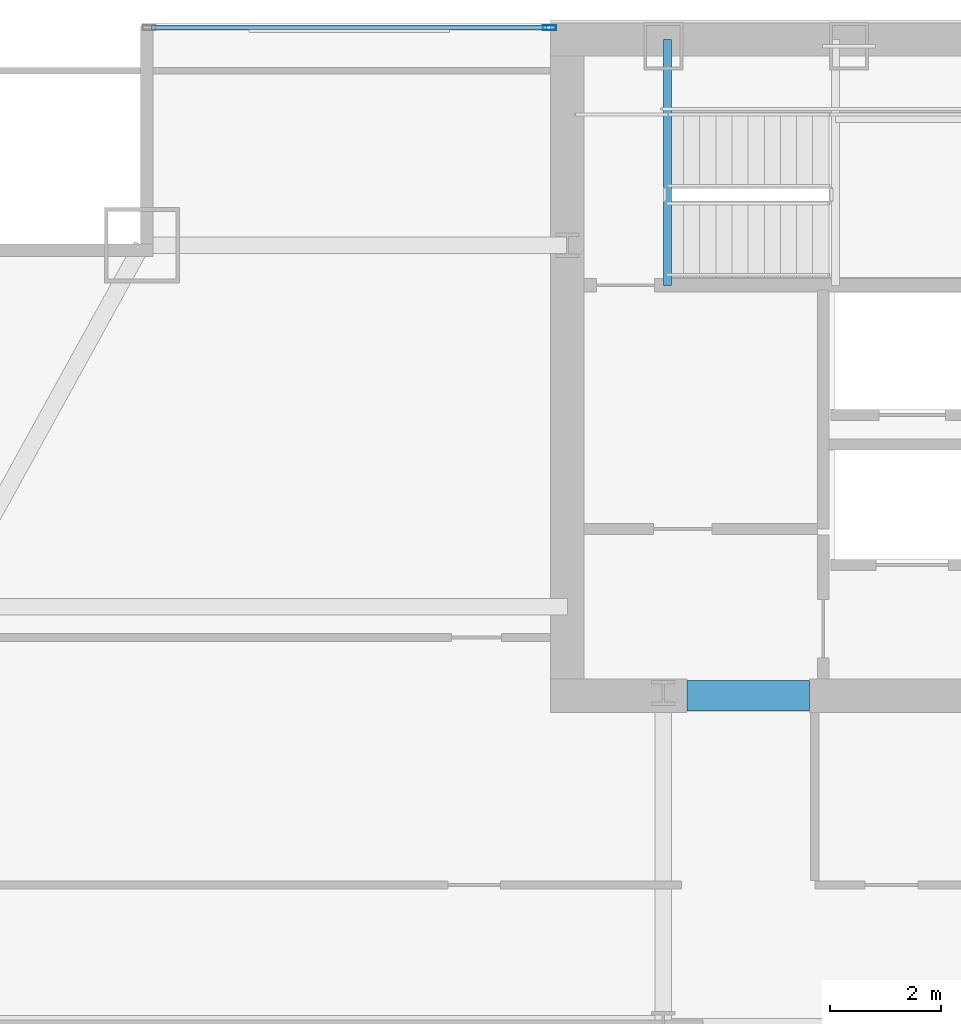
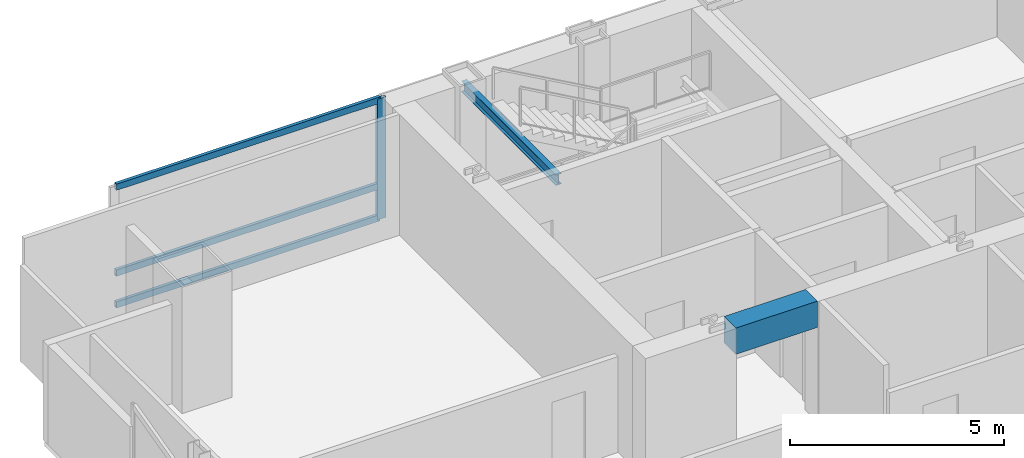
# One storey, part 18 of 29: 4 members, 2 beams, 1 element without a shape of its own.
"""IFC4 building model written with IfcOpenShell, lengths in metres."""

from ifc_helpers import new_model, si_unit, direction, frame, origin, origin_2d, place, context, subcontext, project, spatial, rectangle, hollow_rectangle, i_section, extrude, material, material_profile, profile_set, type_object, element, aggregate, save


model = new_model("IFC4")

# Units and contexts
model_context = context("Model", 3, precision=1e-05, world=origin(), true_north=direction((0.0, 1.0)))
body_context = subcontext(model_context, "Body", "Model", "MODEL_VIEW")
ifc_project = project(units=[si_unit("LENGTHUNIT", "METRE"), si_unit("AREAUNIT", "SQUARE_METRE"), si_unit("VOLUMEUNIT", "CUBIC_METRE"), si_unit("PLANEANGLEUNIT", "RADIAN"), si_unit("MASSUNIT", "GRAM", prefix="KILO")], contexts=[model_context])

# Site, building, storey
site_placement = place(None, origin())
site = spatial("IfcSite", under=ifc_project, at=site_placement, CompositionType="ELEMENT")
building_placement = place(site_placement, origin())
building = spatial("IfcBuilding", under=site, at=building_placement, Name="Khoronbel Lancet Exchange", CompositionType="ELEMENT")
storey_placement = place(building_placement, frame((0.0, 0.0, 177.0)))
storey = spatial("IfcBuildingStorey", under=building, at=storey_placement, Name="L44", CompositionType="ELEMENT", Elevation=177.0)

# Beams
ifc_material_1 = material(Name="Steel S355", Category="steel")
ifc_material_profile_1 = material_profile(ifc_material_1, i_section(OverallWidth=0.14990234375, OverallDepth=0.300048828125, WebThickness=0.007080078125, FlangeThickness=0.0107421875, at=origin_2d()), Name="IPE 300")
ifc_profile_set_1 = profile_set([ifc_material_profile_1], Name="Steel S355")
beam_type_1 = type_object("IfcBeamType", Name="BM-BJ8", PredefinedType="JOIST", material=ifc_profile_set_1)
beam_1_placement = place(storey_placement, frame((18.300048828125, 48.97998046875, 3.159912109375), z_axis=(0.0, 1.0, 0.0), x_axis=(-1.0, 0.0, 0.0)))
element("IfcBeam", 1, at=beam_1_placement, inside=storey, type_object=beam_type_1, Name="Level L44 stair ST1 upper-flight arrival trimmer beam", PredefinedType="JOIST", context=body_context, shape_type="SweptSolid", body=[
    extrude(i_section(OverallWidth=0.14990234375, OverallDepth=0.300048828125, WebThickness=0.007080078125, FlangeThickness=0.0107421875, at=origin_2d()), origin(), (0.0, 0.0, 1.0), 4.419921875),
])
ifc_material_2 = material(Name="Concrete C60/75", Category="concrete")
ifc_material_profile_2 = material_profile(ifc_material_2, rectangle(XDim=0.550048828125, YDim=0.75, at=origin_2d()), Name="RC 550x750")
ifc_profile_set_2 = profile_set([ifc_material_profile_2], Name="Concrete C60/75")
beam_type_2 = type_object("IfcBeamType", Name="BM-BL2", PredefinedType="LINTEL", material=ifc_profile_set_2)
beam_2_placement = place(storey_placement, frame((18.64990234375, 41.60009765625, 3.06494140625), z_axis=(1.0, 0.0, 0.0), x_axis=(0.0, 1.0, 0.0)))
element("IfcBeam", 2, at=beam_2_placement, inside=storey, type_object=beam_type_2, Name="Level L44 rear core coupling lintel L1", PredefinedType="LINTEL", context=body_context, shape_type="SweptSolid", body=[
    extrude(rectangle(XDim=0.550048828125, YDim=0.75, at=origin_2d()), origin(), (0.0, 0.0, 1.0), 2.2001953125),
])

# Curtain wall, members
ifc_material_3 = material(Name="Low-E Solar Control Insulating Glass", Category="glass")
curtain_wall_type = type_object("IfcCurtainWallType", Name="CW-3", PredefinedType="NOTDEFINED", material=ifc_material_3)
curtain_wall_placement = place(storey_placement, origin())
curtain_wall = element("IfcCurtainWall", 3, at=curtain_wall_placement, inside=storey, type_object=curtain_wall_type, Name="Unitised curtain wall CW-L44-NWFLK", PredefinedType="NOTDEFINED")
ifc_material_4 = material(Name="Bronze-Anodised Aluminium 6063-T6", Category="aluminium")
ifc_material_profile_3 = material_profile(ifc_material_4, hollow_rectangle(XDim=0.0849609375, YDim=0.239990234375, WallThickness=0.006103515625, at=origin_2d()), Name="ALU MULLION 85x240")
ifc_profile_set_3 = profile_set([ifc_material_profile_3], Name="Bronze-Anodised Aluminium 6063-T6")
member_type_1 = type_object("IfcMemberType", Name="MEM-CWM1", PredefinedType="MULLION", material=ifc_profile_set_3)
member_1_placement = place(storey_placement, frame((16.177490234375, 53.610107421875, 0.0), z_axis=(0.0, 0.0, 1.0), x_axis=(0.0, -1.0, 0.0)))
member_1 = element("IfcMember", 4, at=member_1_placement, type_object=member_type_1, Name="CW3 mullion 1", PredefinedType="MULLION", context=body_context, shape_type="SweptSolid", body=[
    extrude(hollow_rectangle(XDim=0.0849609375, YDim=0.239990234375, WallThickness=0.006103515625, at=origin_2d()), origin(), (0.0, 0.0, 1.0), 3.43994140625),
])
ifc_material_profile_4 = material_profile(ifc_material_4, hollow_rectangle(XDim=0.0849609375, YDim=0.179931640625, WallThickness=0.0048828125, at=origin_2d()), Name="ALU TRANSOM 85x180")
ifc_profile_set_4 = profile_set([ifc_material_profile_4], Name="Bronze-Anodised Aluminium 6063-T6")
member_type_2 = type_object("IfcMemberType", Name="MEM-CWT1", PredefinedType="USERDEFINED", material=ifc_profile_set_4)
member_2_placement = place(storey_placement, frame((16.135009765625, 53.610107421875, 0.04248046875), z_axis=(-1.0, 0.0, 0.0), x_axis=(0.0, -1.0, 0.0)))
member_2 = element("IfcMember", 5, at=member_2_placement, type_object=member_type_2, Name="CW3 transom 1.1", ObjectType="TRANSOM", PredefinedType="USERDEFINED", context=body_context, shape_type="SweptSolid", body=[
    extrude(hollow_rectangle(XDim=0.0849609375, YDim=0.179931640625, WallThickness=0.0048828125, at=origin_2d()), origin(), (0.0, 0.0, 1.0), 7.110107421875),
])
member_3_placement = place(storey_placement, frame((16.135009765625, 53.610107421875, 0.949951171875), z_axis=(-1.0, 0.0, 0.0), x_axis=(0.0, -1.0, 0.0)))
member_3 = element("IfcMember", 6, at=member_3_placement, type_object=member_type_2, Name="CW3 transom 1.2", ObjectType="TRANSOM", PredefinedType="USERDEFINED", context=body_context, shape_type="SweptSolid", body=[
    extrude(hollow_rectangle(XDim=0.0849609375, YDim=0.179931640625, WallThickness=0.0048828125, at=origin_2d()), origin(), (0.0, 0.0, 1.0), 7.110107421875),
])
member_4_placement = place(storey_placement, frame((16.135009765625, 53.610107421875, 3.3974609375), z_axis=(-1.0, 0.0, 0.0), x_axis=(0.0, -1.0, 0.0)))
member_4 = element("IfcMember", 7, at=member_4_placement, type_object=member_type_2, Name="CW3 transom 1.3", ObjectType="TRANSOM", PredefinedType="USERDEFINED", context=body_context, shape_type="SweptSolid", body=[
    extrude(hollow_rectangle(XDim=0.0849609375, YDim=0.179931640625, WallThickness=0.0048828125, at=origin_2d()), origin(), (0.0, 0.0, 1.0), 7.110107421875),
])
aggregate(curtain_wall, [member_1, member_2, member_3, member_4])

save(model, "model.ifc")
